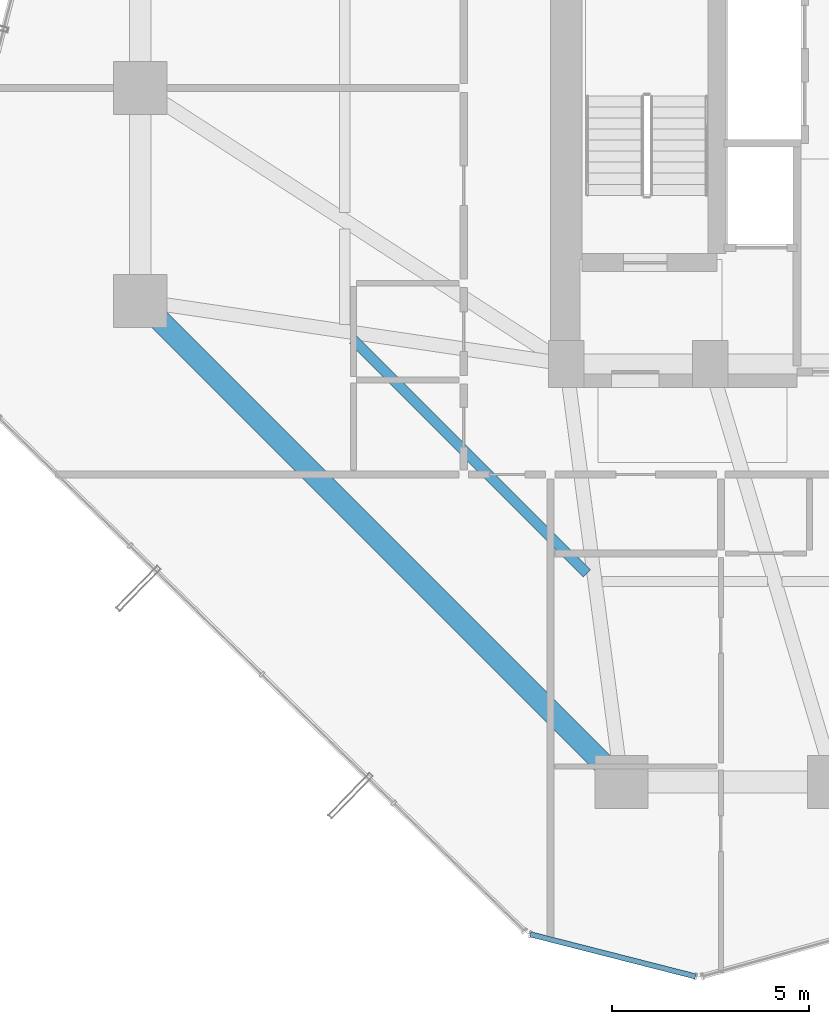
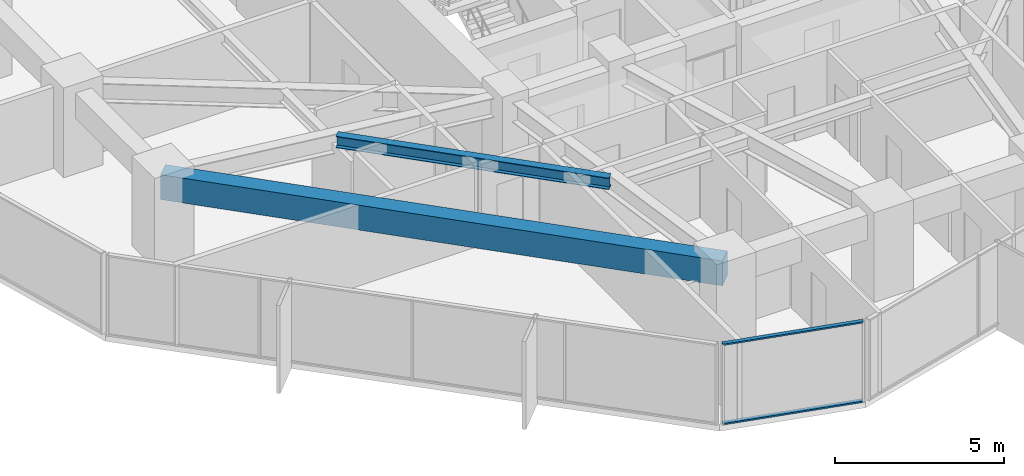
# One storey, part 6 of 39: 2 beams, 2 members, 1 element without a shape of its own.
"""IFC4 building model written with IfcOpenShell, lengths in metres."""

from ifc_helpers import new_model, si_unit, direction, frame, origin, origin_2d, place, context, subcontext, project, spatial, rectangle, hollow_rectangle, i_section, extrude, source, transform, mapped, material, layer, layer_set, material_profile, profile_set, type_object, element, aggregate, save


model = new_model("IFC4")

# Units and contexts
model_context = context("Model", 3, precision=1e-05, world=origin(), true_north=direction((0.0, 1.0)))
body_context = subcontext(model_context, "Body", "Model", "MODEL_VIEW")
ifc_project = project(units=[si_unit("LENGTHUNIT", "METRE"), si_unit("AREAUNIT", "SQUARE_METRE"), si_unit("VOLUMEUNIT", "CUBIC_METRE"), si_unit("PLANEANGLEUNIT", "RADIAN"), si_unit("MASSUNIT", "GRAM", prefix="KILO")], contexts=[model_context])

# Site, building, storey
site_placement = place(None, origin())
site = spatial("IfcSite", under=ifc_project, at=site_placement, CompositionType="ELEMENT")
building_placement = place(site_placement, origin())
building = spatial("IfcBuilding", under=site, at=building_placement, Name="Veraguas Prism Commons", CompositionType="ELEMENT")
storey_placement = place(building_placement, frame((0.0, 0.0, 77.10009765625)))
storey = spatial("IfcBuildingStorey", under=building, at=storey_placement, Name="L21", CompositionType="ELEMENT", Elevation=77.10009765625)

# Beams
ifc_material_1 = material(Name="Steel ASTM A992 Grade 50", Category="steel")
ifc_material_profile_1 = material_profile(ifc_material_1, i_section(OverallWidth=0.260986328125, OverallDepth=0.419921875, WebThickness=0.01171875, FlangeThickness=0.019287109375, at=origin_2d()), Name="W410X114")
ifc_profile_set_1 = profile_set([ifc_material_profile_1], Name="Steel ASTM A992 Grade 50")
beam_type_1 = type_object("IfcBeamType", Name="Lower Floor Joist W410x114", PredefinedType="JOIST", material=ifc_profile_set_1)
beam_1_placement = place(storey_placement, frame((11.79296875, 17.623046875, 2.719970703125), z_axis=(0.707092226423, -0.70712133565, 0.0), x_axis=(0.70712133565, 0.707092226423, 0.0)))
element("IfcBeam", 1, at=beam_1_placement, inside=storey, type_object=beam_type_1, Name="Composite Floor Joist L21-JS09", PredefinedType="JOIST", context=body_context, shape_type="SweptSolid", body=[
    extrude(i_section(OverallWidth=0.260986328125, OverallDepth=0.419921875, WebThickness=0.01171875, FlangeThickness=0.019287109375, at=origin_2d()), origin(), (0.0, 0.0, 1.0), 8.386962890625),
])
ifc_material_2 = material(Name="Concrete C50/60", Category="concrete")
ifc_material_profile_2 = material_profile(ifc_material_2, rectangle(XDim=0.550048828125, YDim=0.89990234375, at=origin_2d()), Name="RC550X900")
ifc_profile_set_2 = profile_set([ifc_material_profile_2], Name="Concrete C50/60")
beam_type_2 = type_object("IfcBeamType", Name="Perimeter Spandrel Lower RC 550x900", PredefinedType="SPANDREL", material=ifc_profile_set_2)
beam_2_placement = place(storey_placement, frame((6.39990234375, 18.60009765625, 2.47998046875), z_axis=(0.707106781187, -0.707106781187, 0.0), x_axis=(0.707106781187, 0.707106781187, 0.0)))
element("IfcBeam", 2, at=beam_2_placement, inside=storey, type_object=beam_type_2, Name="Perimeter Spandrel Beam L21-SP09", PredefinedType="SPANDREL", context=body_context, shape_type="SweptSolid", body=[
    extrude(rectangle(XDim=0.550048828125, YDim=0.89990234375, at=origin_2d()), origin(), (0.0, 0.0, 1.0), 17.253662109375),
])

# Curtain wall, members
ifc_material_3 = material(Name="Anodised aluminium EN AW-6063 T6", Category="aluminium")
ifc_layer = layer(ifc_material_3, 0.169921875, Name="Unitised Flush Curtain Wall Zone 1", Category="aluminium")
ifc_layer_set = layer_set([ifc_layer], Name="Anodised aluminium EN AW-6063 T6")
curtain_wall_type = type_object("IfcCurtainWallType", Name="Unitised Flush Curtain Wall Zone 1", PredefinedType="NOTDEFINED", material=ifc_layer_set)
curtain_wall_placement = place(storey_placement, origin())
curtain_wall = element("IfcCurtainWall", 3, at=curtain_wall_placement, inside=storey, type_object=curtain_wall_type, Name="Chamfer Curtain Wall L21-C5", PredefinedType="NOTDEFINED")
ifc_material_profile_3 = material_profile(ifc_material_3, hollow_rectangle(XDim=0.054931640625, YDim=0.135009765625, WallThickness=0.0029296875, at=origin_2d()), Name="AL55X135X3")
ifc_profile_set_3 = profile_set([ifc_material_profile_3], Name="Anodised aluminium EN AW-6063 T6")
member_type = type_object("IfcMemberType", Name="Curtain Wall Transom Standard AL 55x135x3", PredefinedType="USERDEFINED", material=ifc_profile_set_3)
shared_shape = source(origin(), body_context, "Body", "SweptSolid", [
    extrude(hollow_rectangle(XDim=0.054931640625, YDim=0.135009765625, WallThickness=0.0029296875, at=origin_2d()), origin(), (0.0, 0.0, 1.0), 4.320068359375),
])
member_1_placement = place(storey_placement, frame((16.292236328125, 2.53857421875, 0.02734375), z_axis=(0.968937306246, -0.247306483064, 0.0), x_axis=(0.0, 0.0, 1.0)))
member_1 = element("IfcMember", 4, at=member_1_placement, type_object=member_type, Name="CW-Z1 Transom 1", ObjectType="TRANSOM", PredefinedType="USERDEFINED", context=body_context, shape_type="MappedRepresentation", body=[
    mapped(shared_shape, transform((0.0, 0.0, 0.0), scale=1.0)),
])
member_2_placement = place(storey_placement, frame((16.292236328125, 2.53857421875, 2.90234375), z_axis=(0.968937306246, -0.247306483064, 0.0), x_axis=(0.0, 0.0, 1.0)))
member_2 = element("IfcMember", 5, at=member_2_placement, type_object=member_type, Name="CW-Z1 Transom 2", ObjectType="TRANSOM", PredefinedType="USERDEFINED", context=body_context, shape_type="MappedRepresentation", body=[
    mapped(shared_shape, transform((0.0, 0.0, 0.0), scale=1.0)),
])
aggregate(curtain_wall, [member_1, member_2])

save(model, "model.ifc")
